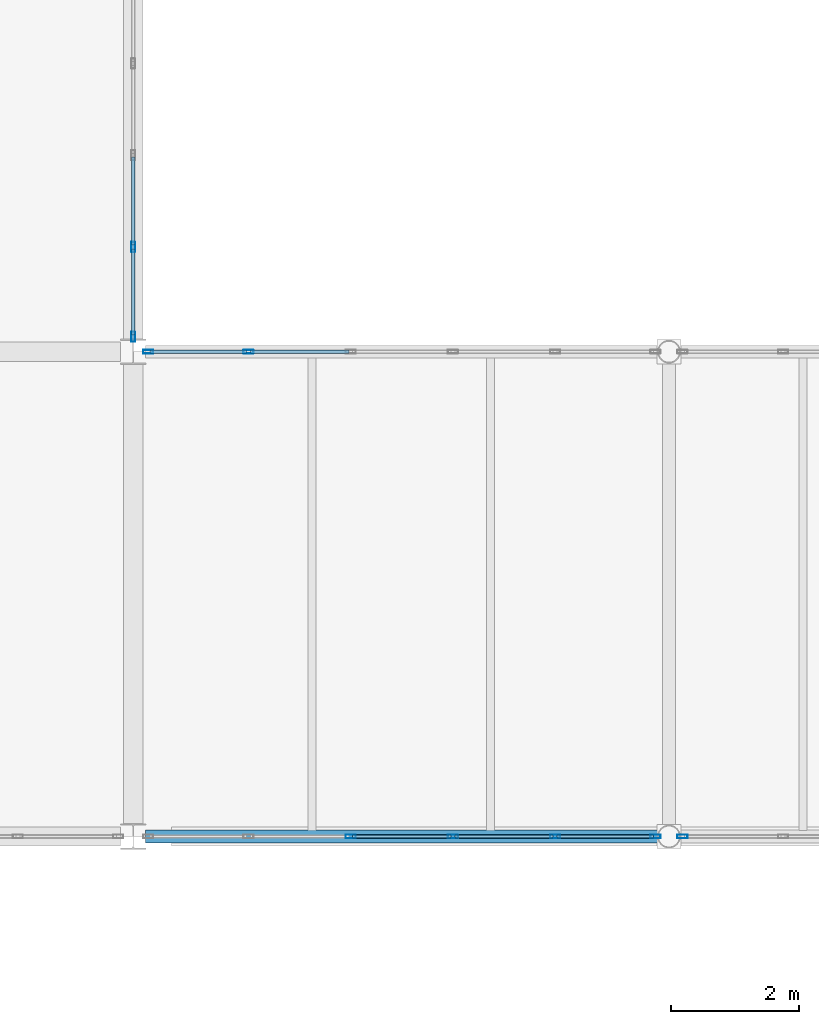
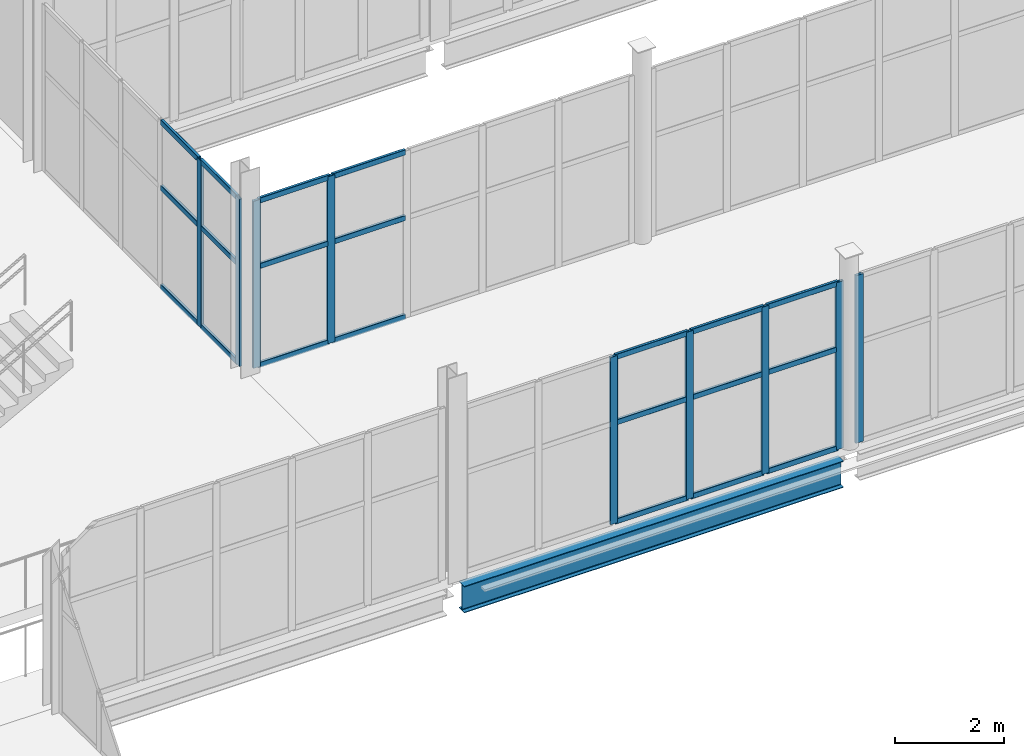
# One storey, part 42 of 172: 30 members, 1 beam, 4 elements without a shape of their own.
"""IFC4 building model written with IfcOpenShell, lengths in metres."""

from ifc_helpers import new_model, si_unit, direction, frame, origin, origin_2d, place, context, subcontext, project, spatial, hollow_rectangle, i_section, extrude, material, material_profile, profile_set, type_object, element, aggregate, save


model = new_model("IFC4")

# Units and contexts
model_context = context("Model", 3, precision=1e-05, world=origin(), true_north=direction((0.0, 1.0)))
body_context = subcontext(model_context, "Body", "Model", "MODEL_VIEW")
ifc_project = project(units=[si_unit("LENGTHUNIT", "METRE"), si_unit("AREAUNIT", "SQUARE_METRE"), si_unit("VOLUMEUNIT", "CUBIC_METRE"), si_unit("PLANEANGLEUNIT", "RADIAN"), si_unit("MASSUNIT", "GRAM", prefix="KILO")], contexts=[model_context])

# Site, building, storey
site_placement = place(None, origin())
site = spatial("IfcSite", under=ifc_project, at=site_placement, CompositionType="ELEMENT")
building_placement = place(site_placement, origin())
building = spatial("IfcBuilding", under=site, at=building_placement, Name="Shengluoqiao Park Theatre", CompositionType="ELEMENT")
storey_placement = place(building_placement, frame((0.0, 0.0, 5.39990234375)))
storey = spatial("IfcBuildingStorey", under=building, at=storey_placement, Name="L01", CompositionType="ELEMENT", Elevation=5.39990234375)

# Curtain wall, members
ifc_material_1 = material(Name="Aluminium 6063-T6", Category="aluminium")
curtain_wall_type_1 = type_object("IfcCurtainWallType", Name="ENV-CW-BRIDGE", PredefinedType="NOTDEFINED", material=ifc_material_1)
curtain_wall_1_placement = place(storey_placement, origin())
curtain_wall_1 = element("IfcCurtainWall", 1, at=curtain_wall_1_placement, inside=storey, type_object=curtain_wall_type_1, Name="L01 Curtain Wall CWX-L01-0123", PredefinedType="NOTDEFINED")
ifc_material_profile_1 = material_profile(ifc_material_1, hollow_rectangle(XDim=0.06005859375, YDim=0.159912109375, WallThickness=0.00390625, InnerFilletRadius=0.00390625, OuterFilletRadius=0.008056640625, at=origin_2d()), Name="ALU MULLION 160x60x4")
ifc_profile_set_1 = profile_set([ifc_material_profile_1], Name="Aluminium 6063-T6")
member_type_1 = type_object("IfcMemberType", Name="ENV-MUL-160", PredefinedType="MULLION", material=ifc_profile_set_1)
member_1_placement = place(storey_placement, frame((47.8095703125, 53.199951171875, 0.0), z_axis=(0.0, 0.0, 1.0), x_axis=(0.0, 1.0, 0.0)))
member_1 = element("IfcMember", 2, at=member_1_placement, type_object=member_type_1, Name="CW-03 mullion 3", PredefinedType="MULLION", context=body_context, shape_type="SweptSolid", body=[
    extrude(hollow_rectangle(XDim=0.06005859375, YDim=0.159912109375, WallThickness=0.00390625, InnerFilletRadius=0.00390625, OuterFilletRadius=0.008056640625, at=origin_2d()), origin(), (0.0, 0.0, 1.0), 3.7421875),
])
member_2_placement = place(storey_placement, frame((49.412353515625, 53.199951171875, 0.0), z_axis=(0.0, 0.0, 1.0), x_axis=(0.0, 1.0, 0.0)))
member_2 = element("IfcMember", 3, at=member_2_placement, type_object=member_type_1, Name="CW-03 mullion 4", PredefinedType="MULLION", context=body_context, shape_type="SweptSolid", body=[
    extrude(hollow_rectangle(XDim=0.06005859375, YDim=0.159912109375, WallThickness=0.00390625, InnerFilletRadius=0.00390625, OuterFilletRadius=0.008056640625, at=origin_2d()), origin(), (0.0, 0.0, 1.0), 3.7421875),
])
member_3_placement = place(storey_placement, frame((51.01513671875, 53.199951171875, 0.0), z_axis=(0.0, 0.0, 1.0), x_axis=(0.0, 1.0, 0.0)))
member_3 = element("IfcMember", 4, at=member_3_placement, type_object=member_type_1, Name="CW-03 mullion 5", PredefinedType="MULLION", context=body_context, shape_type="SweptSolid", body=[
    extrude(hollow_rectangle(XDim=0.06005859375, YDim=0.159912109375, WallThickness=0.00390625, InnerFilletRadius=0.00390625, OuterFilletRadius=0.008056640625, at=origin_2d()), origin(), (0.0, 0.0, 1.0), 3.7421875),
])
member_4_placement = place(storey_placement, frame((52.587890625, 53.199951171875, 0.0), z_axis=(0.0, 0.0, 1.0), x_axis=(0.0, 1.0, 0.0)))
member_4 = element("IfcMember", 5, at=member_4_placement, type_object=member_type_1, Name="CW-03 mullion 6", PredefinedType="MULLION", context=body_context, shape_type="SweptSolid", body=[
    extrude(hollow_rectangle(XDim=0.06005859375, YDim=0.159912109375, WallThickness=0.00390625, InnerFilletRadius=0.00390625, OuterFilletRadius=0.008056640625, at=origin_2d()), origin(), (0.0, 0.0, 1.0), 3.7421875),
])

# Curtain wall, member
curtain_wall_2_placement = place(storey_placement, origin())
curtain_wall_2 = element("IfcCurtainWall", 6, at=curtain_wall_2_placement, inside=storey, type_object=curtain_wall_type_1, Name="L01 Curtain Wall CWX-L01-0124", PredefinedType="NOTDEFINED")
member_5_placement = place(storey_placement, frame((53.011962890625, 53.199951171875, 0.0), z_axis=(0.0, 0.0, 1.0), x_axis=(0.0, 1.0, 0.0)))
member_5 = element("IfcMember", 7, at=member_5_placement, type_object=member_type_1, Name="CW-03 mullion 1", PredefinedType="MULLION", context=body_context, shape_type="SweptSolid", body=[
    extrude(hollow_rectangle(XDim=0.06005859375, YDim=0.159912109375, WallThickness=0.00390625, InnerFilletRadius=0.00390625, OuterFilletRadius=0.008056640625, at=origin_2d()), origin(), (0.0, 0.0, 1.0), 3.752197265625),
])
aggregate(curtain_wall_2, [member_5])

# Curtain wall, members
curtain_wall_3_placement = place(storey_placement, origin())
curtain_wall_3 = element("IfcCurtainWall", 8, at=curtain_wall_3_placement, inside=storey, type_object=curtain_wall_type_1, Name="L01 Curtain Wall CWX-L01-0136", PredefinedType="NOTDEFINED")
member_6_placement = place(storey_placement, frame((44.634033203125, 60.800048828125, 0.0), z_axis=(0.0, 0.0, 1.0), x_axis=(0.0, 1.0, 0.0)))
member_6 = element("IfcMember", 9, at=member_6_placement, type_object=member_type_1, Name="CW-03 mullion 1", PredefinedType="MULLION", context=body_context, shape_type="SweptSolid", body=[
    extrude(hollow_rectangle(XDim=0.06005859375, YDim=0.159912109375, WallThickness=0.00390625, InnerFilletRadius=0.00390625, OuterFilletRadius=0.008056640625, at=origin_2d()), origin(), (0.0, 0.0, 1.0), 3.7421875),
])
member_7_placement = place(storey_placement, frame((46.206787109375, 60.800048828125, 0.0), z_axis=(0.0, 0.0, 1.0), x_axis=(0.0, 1.0, 0.0)))
member_7 = element("IfcMember", 10, at=member_7_placement, type_object=member_type_1, Name="CW-03 mullion 2", PredefinedType="MULLION", context=body_context, shape_type="SweptSolid", body=[
    extrude(hollow_rectangle(XDim=0.06005859375, YDim=0.159912109375, WallThickness=0.00390625, InnerFilletRadius=0.00390625, OuterFilletRadius=0.008056640625, at=origin_2d()), origin(), (0.0, 0.0, 1.0), 3.7421875),
])

curtain_wall_type_2 = type_object("IfcCurtainWallType", Name="ENV-CW-COURT", PredefinedType="NOTDEFINED", material=ifc_material_1)
curtain_wall_4_placement = place(storey_placement, origin())
curtain_wall_4 = element("IfcCurtainWall", 11, at=curtain_wall_4_placement, inside=storey, type_object=curtain_wall_type_2, Name="L01 Curtain Wall CWX-L01-0213", PredefinedType="NOTDEFINED")
member_8_placement = place(storey_placement, frame((44.39990234375, 61.033935546875, 0.0), z_axis=(0.0, 0.0, 1.0), x_axis=(-1.0, 0.0, 0.0)))
member_8 = element("IfcMember", 12, at=member_8_placement, type_object=member_type_1, Name="CW-05 mullion 1", PredefinedType="MULLION", context=body_context, shape_type="SweptSolid", body=[
    extrude(hollow_rectangle(XDim=0.06005859375, YDim=0.159912109375, WallThickness=0.00390625, InnerFilletRadius=0.00390625, OuterFilletRadius=0.008056640625, at=origin_2d()), origin(), (0.0, 0.0, 1.0), 3.7421875),
])
member_9_placement = place(storey_placement, frame((44.39990234375, 62.4423828125, 0.0), z_axis=(0.0, 0.0, 1.0), x_axis=(-1.0, 0.0, 0.0)))
member_9 = element("IfcMember", 13, at=member_9_placement, type_object=member_type_1, Name="CW-05 mullion 2", PredefinedType="MULLION", context=body_context, shape_type="SweptSolid", body=[
    extrude(hollow_rectangle(XDim=0.06005859375, YDim=0.159912109375, WallThickness=0.00390625, InnerFilletRadius=0.00390625, OuterFilletRadius=0.008056640625, at=origin_2d()), origin(), (0.0, 0.0, 1.0), 3.7421875),
])

# Member
ifc_material_profile_2 = material_profile(ifc_material_1, hollow_rectangle(XDim=0.06005859375, YDim=0.1201171875, WallThickness=0.00390625, InnerFilletRadius=0.00390625, OuterFilletRadius=0.008056640625, at=origin_2d()), Name="ALU TRANSOM 120x60x4")
ifc_profile_set_2 = profile_set([ifc_material_profile_2], Name="Aluminium 6063-T6")
member_type_2 = type_object("IfcMemberType", Name="ENV-TRN-120", PredefinedType="USERDEFINED", material=ifc_profile_set_2)
member_10_placement = place(storey_placement, frame((47.839599609375, 53.199951171875, 0.030029296875), z_axis=(1.0, 0.0, 0.0), x_axis=(0.0, 1.0, 0.0)))
member_10 = element("IfcMember", 14, at=member_10_placement, type_object=member_type_2, Name="CW-03 transom 3.1", ObjectType="TRANSOM", PredefinedType="USERDEFINED", context=body_context, shape_type="SweptSolid", body=[
    extrude(hollow_rectangle(XDim=0.06005859375, YDim=0.1201171875, WallThickness=0.00390625, InnerFilletRadius=0.00390625, OuterFilletRadius=0.008056640625, at=origin_2d()), origin(), (0.0, 0.0, 1.0), 1.542724609375),
])

member_11_placement = place(storey_placement, frame((47.839599609375, 53.199951171875, 2.2451171875), z_axis=(1.0, 0.0, 0.0), x_axis=(0.0, 1.0, 0.0)))
member_11 = element("IfcMember", 15, at=member_11_placement, type_object=member_type_2, Name="CW-03 transom 3.2", ObjectType="TRANSOM", PredefinedType="USERDEFINED", context=body_context, shape_type="SweptSolid", body=[
    extrude(hollow_rectangle(XDim=0.06005859375, YDim=0.1201171875, WallThickness=0.00390625, InnerFilletRadius=0.00390625, OuterFilletRadius=0.008056640625, at=origin_2d()), origin(), (0.0, 0.0, 1.0), 1.542724609375),
])

member_12_placement = place(storey_placement, frame((47.839599609375, 53.199951171875, 3.712158203125), z_axis=(1.0, 0.0, 0.0), x_axis=(0.0, 1.0, 0.0)))
member_12 = element("IfcMember", 16, at=member_12_placement, type_object=member_type_2, Name="CW-03 transom 3.3", ObjectType="TRANSOM", PredefinedType="USERDEFINED", context=body_context, shape_type="SweptSolid", body=[
    extrude(hollow_rectangle(XDim=0.06005859375, YDim=0.1201171875, WallThickness=0.00390625, InnerFilletRadius=0.00390625, OuterFilletRadius=0.008056640625, at=origin_2d()), origin(), (0.0, 0.0, 1.0), 1.542724609375),
])

member_13_placement = place(storey_placement, frame((49.4423828125, 53.199951171875, 0.030029296875), z_axis=(1.0, 0.0, 0.0), x_axis=(0.0, 1.0, 0.0)))
member_13 = element("IfcMember", 17, at=member_13_placement, type_object=member_type_2, Name="CW-03 transom 4.1", ObjectType="TRANSOM", PredefinedType="USERDEFINED", context=body_context, shape_type="SweptSolid", body=[
    extrude(hollow_rectangle(XDim=0.06005859375, YDim=0.1201171875, WallThickness=0.00390625, InnerFilletRadius=0.00390625, OuterFilletRadius=0.008056640625, at=origin_2d()), origin(), (0.0, 0.0, 1.0), 1.542724609375),
])

member_14_placement = place(storey_placement, frame((49.4423828125, 53.199951171875, 2.2451171875), z_axis=(1.0, 0.0, 0.0), x_axis=(0.0, 1.0, 0.0)))
member_14 = element("IfcMember", 18, at=member_14_placement, type_object=member_type_2, Name="CW-03 transom 4.2", ObjectType="TRANSOM", PredefinedType="USERDEFINED", context=body_context, shape_type="SweptSolid", body=[
    extrude(hollow_rectangle(XDim=0.06005859375, YDim=0.1201171875, WallThickness=0.00390625, InnerFilletRadius=0.00390625, OuterFilletRadius=0.008056640625, at=origin_2d()), origin(), (0.0, 0.0, 1.0), 1.542724609375),
])

member_15_placement = place(storey_placement, frame((49.4423828125, 53.199951171875, 3.712158203125), z_axis=(1.0, 0.0, 0.0), x_axis=(0.0, 1.0, 0.0)))
member_15 = element("IfcMember", 19, at=member_15_placement, type_object=member_type_2, Name="CW-03 transom 4.3", ObjectType="TRANSOM", PredefinedType="USERDEFINED", context=body_context, shape_type="SweptSolid", body=[
    extrude(hollow_rectangle(XDim=0.06005859375, YDim=0.1201171875, WallThickness=0.00390625, InnerFilletRadius=0.00390625, OuterFilletRadius=0.008056640625, at=origin_2d()), origin(), (0.0, 0.0, 1.0), 1.542724609375),
])

member_16_placement = place(storey_placement, frame((51.045166015625, 53.199951171875, 0.030029296875), z_axis=(1.0, 0.0, 0.0), x_axis=(0.0, 1.0, 0.0)))
member_16 = element("IfcMember", 20, at=member_16_placement, type_object=member_type_2, Name="CW-03 transom 5.1", ObjectType="TRANSOM", PredefinedType="USERDEFINED", context=body_context, shape_type="SweptSolid", body=[
    extrude(hollow_rectangle(XDim=0.06005859375, YDim=0.1201171875, WallThickness=0.00390625, InnerFilletRadius=0.00390625, OuterFilletRadius=0.008056640625, at=origin_2d()), origin(), (0.0, 0.0, 1.0), 1.512939453125),
])

member_17_placement = place(storey_placement, frame((51.045166015625, 53.199951171875, 2.2451171875), z_axis=(1.0, 0.0, 0.0), x_axis=(0.0, 1.0, 0.0)))
member_17 = element("IfcMember", 21, at=member_17_placement, type_object=member_type_2, Name="CW-03 transom 5.2", ObjectType="TRANSOM", PredefinedType="USERDEFINED", context=body_context, shape_type="SweptSolid", body=[
    extrude(hollow_rectangle(XDim=0.06005859375, YDim=0.1201171875, WallThickness=0.00390625, InnerFilletRadius=0.00390625, OuterFilletRadius=0.008056640625, at=origin_2d()), origin(), (0.0, 0.0, 1.0), 1.512939453125),
])

member_18_placement = place(storey_placement, frame((51.045166015625, 53.199951171875, 3.712158203125), z_axis=(1.0, 0.0, 0.0), x_axis=(0.0, 1.0, 0.0)))
member_18 = element("IfcMember", 22, at=member_18_placement, type_object=member_type_2, Name="CW-03 transom 5.3", ObjectType="TRANSOM", PredefinedType="USERDEFINED", context=body_context, shape_type="SweptSolid", body=[
    extrude(hollow_rectangle(XDim=0.06005859375, YDim=0.1201171875, WallThickness=0.00390625, InnerFilletRadius=0.00390625, OuterFilletRadius=0.008056640625, at=origin_2d()), origin(), (0.0, 0.0, 1.0), 1.512939453125),
])

aggregate(curtain_wall_1, [member_1, member_2, member_3, member_4, member_10, member_11, member_12, member_13, member_14, member_15, member_16, member_17, member_18])

member_19_placement = place(storey_placement, frame((44.6640625, 60.800048828125, 0.030029296875), z_axis=(1.0, 0.0, 0.0), x_axis=(0.0, 1.0, 0.0)))
member_19 = element("IfcMember", 23, at=member_19_placement, type_object=member_type_2, Name="CW-03 transom 1.1", ObjectType="TRANSOM", PredefinedType="USERDEFINED", context=body_context, shape_type="SweptSolid", body=[
    extrude(hollow_rectangle(XDim=0.06005859375, YDim=0.1201171875, WallThickness=0.00390625, InnerFilletRadius=0.00390625, OuterFilletRadius=0.008056640625, at=origin_2d()), origin(), (0.0, 0.0, 1.0), 1.5126953125),
])

member_20_placement = place(storey_placement, frame((44.6640625, 60.800048828125, 2.2451171875), z_axis=(1.0, 0.0, 0.0), x_axis=(0.0, 1.0, 0.0)))
member_20 = element("IfcMember", 24, at=member_20_placement, type_object=member_type_2, Name="CW-03 transom 1.2", ObjectType="TRANSOM", PredefinedType="USERDEFINED", context=body_context, shape_type="SweptSolid", body=[
    extrude(hollow_rectangle(XDim=0.06005859375, YDim=0.1201171875, WallThickness=0.00390625, InnerFilletRadius=0.00390625, OuterFilletRadius=0.008056640625, at=origin_2d()), origin(), (0.0, 0.0, 1.0), 1.5126953125),
])

member_21_placement = place(storey_placement, frame((44.6640625, 60.800048828125, 3.712158203125), z_axis=(1.0, 0.0, 0.0), x_axis=(0.0, 1.0, 0.0)))
member_21 = element("IfcMember", 25, at=member_21_placement, type_object=member_type_2, Name="CW-03 transom 1.3", ObjectType="TRANSOM", PredefinedType="USERDEFINED", context=body_context, shape_type="SweptSolid", body=[
    extrude(hollow_rectangle(XDim=0.06005859375, YDim=0.1201171875, WallThickness=0.00390625, InnerFilletRadius=0.00390625, OuterFilletRadius=0.008056640625, at=origin_2d()), origin(), (0.0, 0.0, 1.0), 1.5126953125),
])

member_22_placement = place(storey_placement, frame((46.23681640625, 60.800048828125, 0.030029296875), z_axis=(1.0, 0.0, 0.0), x_axis=(0.0, 1.0, 0.0)))
member_22 = element("IfcMember", 26, at=member_22_placement, type_object=member_type_2, Name="CW-03 transom 2.1", ObjectType="TRANSOM", PredefinedType="USERDEFINED", context=body_context, shape_type="SweptSolid", body=[
    extrude(hollow_rectangle(XDim=0.06005859375, YDim=0.1201171875, WallThickness=0.00390625, InnerFilletRadius=0.00390625, OuterFilletRadius=0.008056640625, at=origin_2d()), origin(), (0.0, 0.0, 1.0), 1.542724609375),
])

member_23_placement = place(storey_placement, frame((46.23681640625, 60.800048828125, 2.2451171875), z_axis=(1.0, 0.0, 0.0), x_axis=(0.0, 1.0, 0.0)))
member_23 = element("IfcMember", 27, at=member_23_placement, type_object=member_type_2, Name="CW-03 transom 2.2", ObjectType="TRANSOM", PredefinedType="USERDEFINED", context=body_context, shape_type="SweptSolid", body=[
    extrude(hollow_rectangle(XDim=0.06005859375, YDim=0.1201171875, WallThickness=0.00390625, InnerFilletRadius=0.00390625, OuterFilletRadius=0.008056640625, at=origin_2d()), origin(), (0.0, 0.0, 1.0), 1.542724609375),
])

member_24_placement = place(storey_placement, frame((46.23681640625, 60.800048828125, 3.712158203125), z_axis=(1.0, 0.0, 0.0), x_axis=(0.0, 1.0, 0.0)))
member_24 = element("IfcMember", 28, at=member_24_placement, type_object=member_type_2, Name="CW-03 transom 2.3", ObjectType="TRANSOM", PredefinedType="USERDEFINED", context=body_context, shape_type="SweptSolid", body=[
    extrude(hollow_rectangle(XDim=0.06005859375, YDim=0.1201171875, WallThickness=0.00390625, InnerFilletRadius=0.00390625, OuterFilletRadius=0.008056640625, at=origin_2d()), origin(), (0.0, 0.0, 1.0), 1.542724609375),
])

aggregate(curtain_wall_3, [member_6, member_7, member_19, member_20, member_21, member_22, member_23, member_24])

member_25_placement = place(storey_placement, frame((44.39990234375, 61.06396484375, 0.030029296875), z_axis=(0.0, 1.0, 0.0), x_axis=(-1.0, 0.0, 0.0)))
member_25 = element("IfcMember", 29, at=member_25_placement, type_object=member_type_2, Name="CW-05 transom 1.1", ObjectType="TRANSOM", PredefinedType="USERDEFINED", context=body_context, shape_type="SweptSolid", body=[
    extrude(hollow_rectangle(XDim=0.06005859375, YDim=0.1201171875, WallThickness=0.00390625, InnerFilletRadius=0.00390625, OuterFilletRadius=0.008056640625, at=origin_2d()), origin(), (0.0, 0.0, 1.0), 1.348388671875),
])

member_26_placement = place(storey_placement, frame((44.39990234375, 61.06396484375, 2.2451171875), z_axis=(0.0, 1.0, 0.0), x_axis=(-1.0, 0.0, 0.0)))
member_26 = element("IfcMember", 30, at=member_26_placement, type_object=member_type_2, Name="CW-05 transom 1.2", ObjectType="TRANSOM", PredefinedType="USERDEFINED", context=body_context, shape_type="SweptSolid", body=[
    extrude(hollow_rectangle(XDim=0.06005859375, YDim=0.1201171875, WallThickness=0.00390625, InnerFilletRadius=0.00390625, OuterFilletRadius=0.008056640625, at=origin_2d()), origin(), (0.0, 0.0, 1.0), 1.348388671875),
])

member_27_placement = place(storey_placement, frame((44.39990234375, 61.06396484375, 3.712158203125), z_axis=(0.0, 1.0, 0.0), x_axis=(-1.0, 0.0, 0.0)))
member_27 = element("IfcMember", 31, at=member_27_placement, type_object=member_type_2, Name="CW-05 transom 1.3", ObjectType="TRANSOM", PredefinedType="USERDEFINED", context=body_context, shape_type="SweptSolid", body=[
    extrude(hollow_rectangle(XDim=0.06005859375, YDim=0.1201171875, WallThickness=0.00390625, InnerFilletRadius=0.00390625, OuterFilletRadius=0.008056640625, at=origin_2d()), origin(), (0.0, 0.0, 1.0), 1.348388671875),
])

member_28_placement = place(storey_placement, frame((44.39990234375, 62.472412109375, 0.030029296875), z_axis=(0.0, 1.0, 0.0), x_axis=(-1.0, 0.0, 0.0)))
member_28 = element("IfcMember", 32, at=member_28_placement, type_object=member_type_2, Name="CW-05 transom 2.1", ObjectType="TRANSOM", PredefinedType="USERDEFINED", context=body_context, shape_type="SweptSolid", body=[
    extrude(hollow_rectangle(XDim=0.06005859375, YDim=0.1201171875, WallThickness=0.00390625, InnerFilletRadius=0.00390625, OuterFilletRadius=0.008056640625, at=origin_2d()), origin(), (0.0, 0.0, 1.0), 1.37841796875),
])

member_29_placement = place(storey_placement, frame((44.39990234375, 62.472412109375, 2.2451171875), z_axis=(0.0, 1.0, 0.0), x_axis=(-1.0, 0.0, 0.0)))
member_29 = element("IfcMember", 33, at=member_29_placement, type_object=member_type_2, Name="CW-05 transom 2.2", ObjectType="TRANSOM", PredefinedType="USERDEFINED", context=body_context, shape_type="SweptSolid", body=[
    extrude(hollow_rectangle(XDim=0.06005859375, YDim=0.1201171875, WallThickness=0.00390625, InnerFilletRadius=0.00390625, OuterFilletRadius=0.008056640625, at=origin_2d()), origin(), (0.0, 0.0, 1.0), 1.37841796875),
])

member_30_placement = place(storey_placement, frame((44.39990234375, 62.472412109375, 3.712158203125), z_axis=(0.0, 1.0, 0.0), x_axis=(-1.0, 0.0, 0.0)))
member_30 = element("IfcMember", 34, at=member_30_placement, type_object=member_type_2, Name="CW-05 transom 2.3", ObjectType="TRANSOM", PredefinedType="USERDEFINED", context=body_context, shape_type="SweptSolid", body=[
    extrude(hollow_rectangle(XDim=0.06005859375, YDim=0.1201171875, WallThickness=0.00390625, InnerFilletRadius=0.00390625, OuterFilletRadius=0.008056640625, at=origin_2d()), origin(), (0.0, 0.0, 1.0), 1.37841796875),
])

aggregate(curtain_wall_4, [member_8, member_9, member_25, member_26, member_27, member_28, member_29, member_30])

# Beam
ifc_material_2 = material(Name="Steel Q355", Category="steel")
ifc_material_profile_3 = material_profile(ifc_material_2, i_section(OverallWidth=0.198974609375, OverallDepth=0.595947265625, WebThickness=0.010009765625, FlangeThickness=0.014892578125, FilletRadius=0.02001953125, at=origin_2d()), Name="HN 596x199x10x15")
ifc_profile_set_3 = profile_set([ifc_material_profile_3], Name="Steel Q355")
beam_type = type_object("IfcBeamType", Name="STR-BM-SP-HN596", PredefinedType="SPANDREL", material=ifc_profile_set_3)
beam_placement = place(storey_placement, frame((44.596435546875, 53.199951171875, -0.537841796875), z_axis=(1.0, 0.0, 0.0), x_axis=(0.0, 1.0, 0.0)))
element("IfcBeam", 35, at=beam_placement, inside=storey, type_object=beam_type, Name="L01 Primary Girder 00561", PredefinedType="SPANDREL", context=body_context, shape_type="SweptSolid", body=[
    extrude(i_section(OverallWidth=0.198974609375, OverallDepth=0.595947265625, WebThickness=0.010009765625, FlangeThickness=0.014892578125, FilletRadius=0.02001953125, at=origin_2d()), origin(), (0.0, 0.0, 1.0), 8.031494140625),
])

save(model, "model.ifc")
